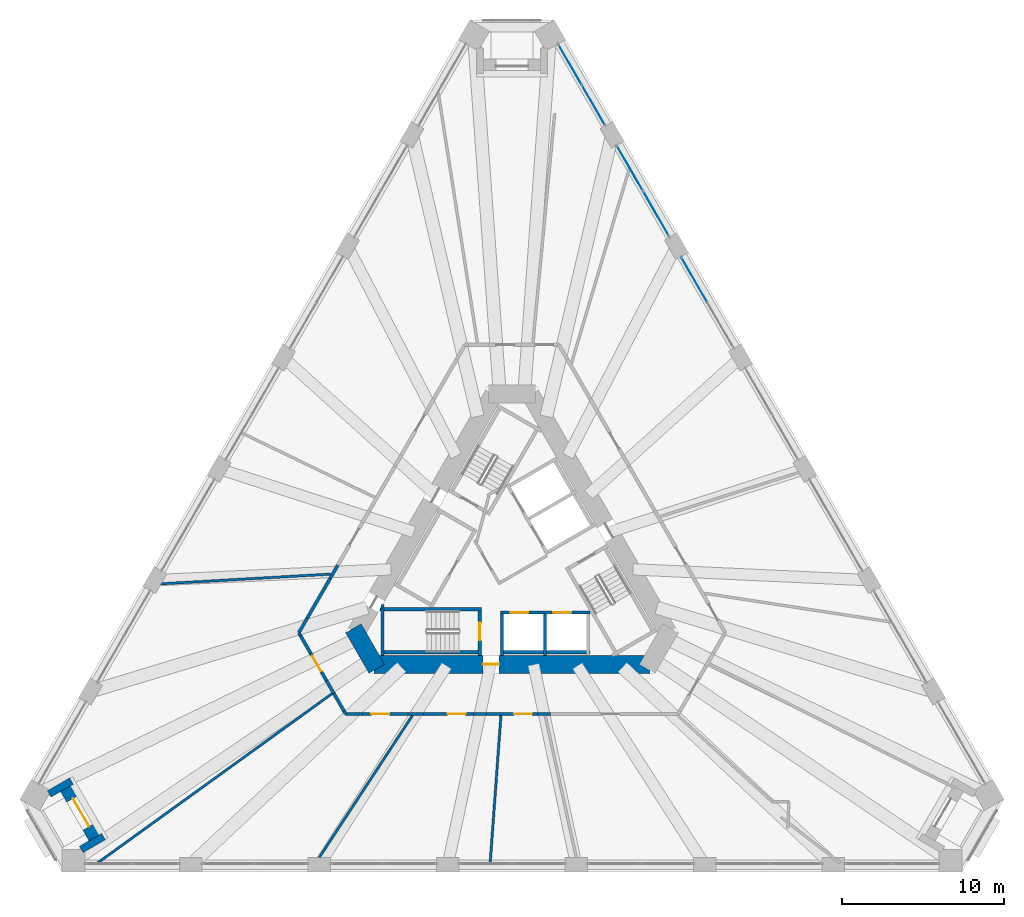
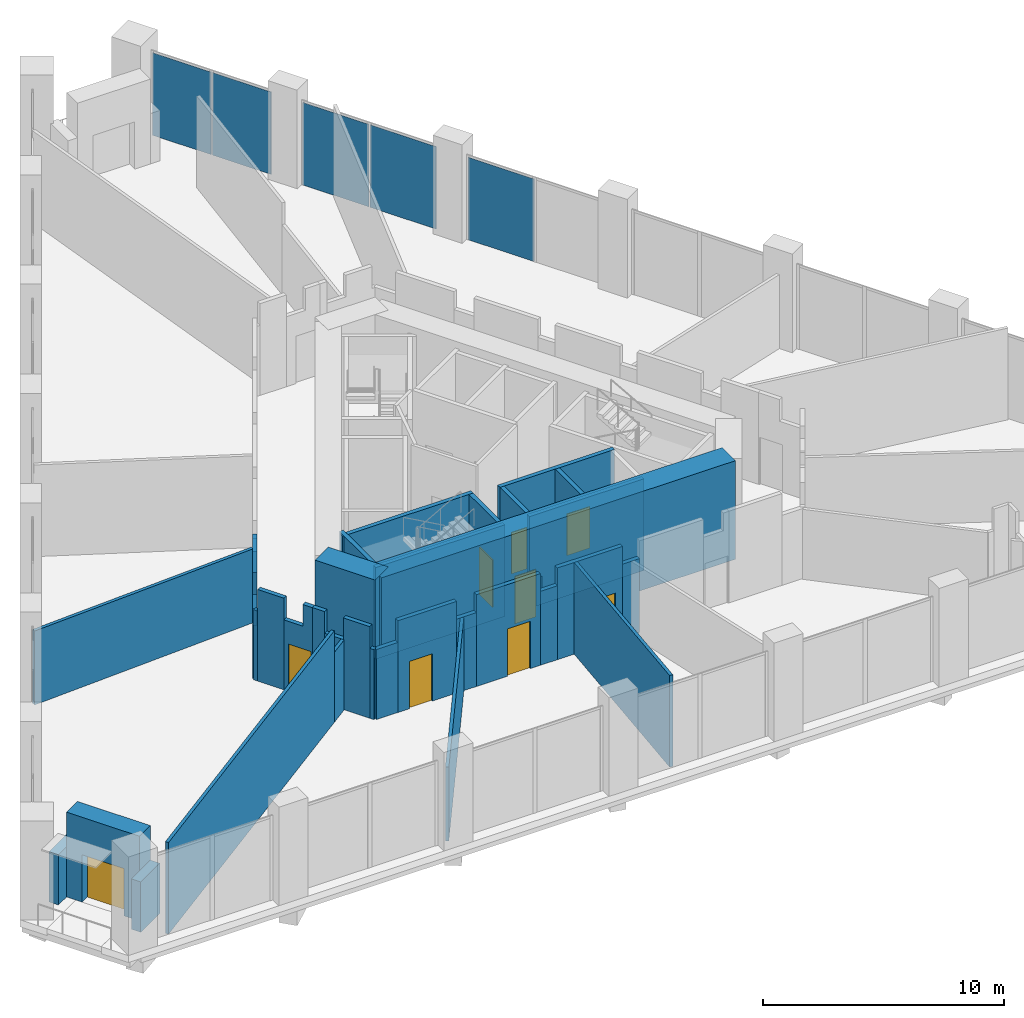
# One storey, part 13 of 20: 35 walls, 9 doors, 5 plates, 9 openings, 3 elements without a shape of their own.
"""IFC4 building model written with IfcOpenShell, lengths in metres."""

from ifc_helpers import new_model, si_unit, direction, frame, frame_2d, origin, origin_2d, place, context, subcontext, project, spatial, polyline, rectangle, outline, extrude, material, layer, layer_set, type_object, element, fill, aggregate, save


model = new_model("IFC4")

# Units and contexts
model_context = context("Model", 3, precision=1e-05, world=origin(), true_north=direction((0.0, 1.0)))
body_context = subcontext(model_context, "Body", "Model", "MODEL_VIEW")
ifc_project = project(units=[si_unit("LENGTHUNIT", "METRE"), si_unit("AREAUNIT", "SQUARE_METRE"), si_unit("VOLUMEUNIT", "CUBIC_METRE"), si_unit("PLANEANGLEUNIT", "RADIAN"), si_unit("MASSUNIT", "GRAM", prefix="KILO")], contexts=[model_context])

# Site, building, storey
site_placement = place(None, origin())
site = spatial("IfcSite", under=ifc_project, at=site_placement, CompositionType="ELEMENT")
building_placement = place(site_placement, origin())
building = spatial("IfcBuilding", under=site, at=building_placement, Name="Tramontana Tower", CompositionType="ELEMENT")
storey_placement = place(building_placement, frame((0.0, 0.0, 20.0)))
storey = spatial("IfcBuildingStorey", under=building, at=storey_placement, Name="L03", CompositionType="ELEMENT", Elevation=20.0)

# Curtain wall, plate
ifc_material_1 = material(Name="Aluminum extrusion", Category="aluminium")
ifc_layer_1 = layer(ifc_material_1, 0.14990234375)
ifc_layer_set_1 = layer_set([ifc_layer_1], Name="CW2 Podium amenity curtain wall")
curtain_wall_type = type_object("IfcCurtainWallType", Name="CW2 Podium amenity curtain wall", PredefinedType="NOTDEFINED", material=ifc_layer_set_1)
curtain_wall_1_placement = place(storey_placement, origin())
curtain_wall_1 = element("IfcCurtainWall", 1, at=curtain_wall_1_placement, inside=storey, type_object=curtain_wall_type, Name="CW2 curtain wall L03 face 2 bay 5", PredefinedType="NOTDEFINED")
ifc_material_2 = material(Name="Low-iron double glazing unit", Category="glass")
ifc_layer_2 = layer(ifc_material_2, 0.031982421875)
ifc_layer_set_2 = layer_set([ifc_layer_2], Name="CW2-P Glazing panel 32")
plate_type = type_object("IfcPlateType", Name="CW2-P Glazing panel 32", PredefinedType="CURTAIN_PANEL", material=ifc_layer_set_2)
plate_1_placement = place(storey_placement, frame((11.233642578125, 17.492919921875, 0.0), z_axis=(0.0, 0.0, 1.0), x_axis=(-0.5, 0.866025403784, 0.0)))
plate_1 = element("IfcPlate", 2, at=plate_1_placement, type_object=plate_type, Name="CW2 curtain wall L03 face 2 bay 5 panel 2.1", PredefinedType="CURTAIN_PANEL", context=body_context, shape_type="SweptSolid", body=[
    extrude(rectangle(XDim=3.1689453125, YDim=0.031982421875, at=origin_2d()), origin(), (0.0, 0.0, 1.0), 4.179931640625),
])
aggregate(curtain_wall_1, [plate_1])

# Curtain wall, plates
curtain_wall_2_placement = place(storey_placement, origin())
curtain_wall_2 = element("IfcCurtainWall", 3, at=curtain_wall_2_placement, inside=storey, type_object=curtain_wall_type, Name="CW2 curtain wall L03 face 2 bay 6", PredefinedType="NOTDEFINED")
plate_2_placement = place(storey_placement, frame((8.88916015625, 21.5537109375, 0.0), z_axis=(0.0, 0.0, 1.0), x_axis=(-0.5, 0.866025403784, 0.0)))
plate_2 = element("IfcPlate", 4, at=plate_2_placement, type_object=plate_type, Name="CW2 curtain wall L03 face 2 bay 6 panel 1.1", PredefinedType="CURTAIN_PANEL", context=body_context, shape_type="SweptSolid", body=[
    extrude(rectangle(XDim=3.1689453125, YDim=0.031982421875, at=origin_2d()), origin(), (0.0, 0.0, 1.0), 4.179931640625),
])
plate_3_placement = place(storey_placement, frame((7.274658203125, 24.349853515625, 0.0), z_axis=(0.0, 0.0, 1.0), x_axis=(-0.5, 0.866025403784, 0.0)))
plate_3 = element("IfcPlate", 5, at=plate_3_placement, type_object=plate_type, Name="CW2 curtain wall L03 face 2 bay 6 panel 2.1", PredefinedType="CURTAIN_PANEL", context=body_context, shape_type="SweptSolid", body=[
    extrude(rectangle(XDim=3.1689453125, YDim=0.031982421875, at=origin_2d()), origin(), (0.0, 0.0, 1.0), 4.179931640625),
])
aggregate(curtain_wall_2, [plate_2, plate_3])

curtain_wall_3_placement = place(storey_placement, origin())
curtain_wall_3 = element("IfcCurtainWall", 6, at=curtain_wall_3_placement, inside=storey, type_object=curtain_wall_type, Name="CW2 curtain wall L03 face 2 bay 7", PredefinedType="NOTDEFINED")
plate_4_placement = place(storey_placement, frame((5.017578125, 28.25927734375, 0.0), z_axis=(0.0, 0.0, 1.0), x_axis=(-0.5, 0.866025403784, 0.0)))
plate_4 = element("IfcPlate", 7, at=plate_4_placement, type_object=plate_type, Name="CW2 curtain wall L03 face 2 bay 7 panel 1.1", PredefinedType="CURTAIN_PANEL", context=body_context, shape_type="SweptSolid", body=[
    extrude(rectangle(XDim=2.819091796875, YDim=0.031982421875, at=origin_2d()), origin(), (0.0, 0.0, 1.0), 4.179931640625),
])
plate_5_placement = place(storey_placement, frame((3.578125, 30.75244140625, 0.0), z_axis=(0.0, 0.0, 1.0), x_axis=(-0.5, 0.866025403784, 0.0)))
plate_5 = element("IfcPlate", 8, at=plate_5_placement, type_object=plate_type, Name="CW2 curtain wall L03 face 2 bay 7 panel 2.1", PredefinedType="CURTAIN_PANEL", context=body_context, shape_type="SweptSolid", body=[
    extrude(rectangle(XDim=2.819091796875, YDim=0.031982421875, at=origin_2d()), origin(), (0.0, 0.0, 1.0), 4.179931640625),
])
aggregate(curtain_wall_3, [plate_4, plate_5])

# Wall
ifc_material_3 = material(Name="Concrete 70 MPa", Category="concrete")
ifc_layer_3 = layer(ifc_material_3, 1.10009765625)
ifc_layer_set_3 = layer_set([ifc_layer_3], Name="Core wall 1100 70 MPa")
wall_type_1 = type_object("IfcWallType", Name="Core wall 1100 70 MPa", PredefinedType="SHEAR", material=ifc_layer_set_3)
wall_1_placement = place(storey_placement, frame((-9.771728515625, -3.97509765625, 0.0), z_axis=(0.0, 0.0, 1.0), x_axis=(0.499995765644, -0.866027848477, 0.0)))
element("IfcWall", 9, at=wall_1_placement, inside=storey, type_object=wall_type_1, Name="Core wall C2 L03", PredefinedType="SHEAR", context=body_context, shape_type="SweptSolid", body=[
    extrude(rectangle(XDim=2.88671875, YDim=1.10009765625, at=frame_2d((1.443359375, 0.0))), origin(), (0.0, 0.0, 1.0), 5.0),
])

# Wall, opening, door
wall_2_placement = place(storey_placement, frame((-8.487060546875, -6.199951171875, 0.0), z_axis=(0.0, 0.0, 1.0), x_axis=(1.0, 0.0, 0.0)))
wall_2 = element("IfcWall", 10, at=wall_2_placement, inside=storey, type_object=wall_type_1, Name="Core wall C3 L03", PredefinedType="SHEAR", context=body_context, shape_type="SweptSolid", body=[
    extrude(rectangle(XDim=16.97412109375, YDim=1.10009765625, at=frame_2d((8.487060546875, 0.0))), origin(), (0.0, 0.0, 1.0), 5.0),
])
opening_1_placement = place(wall_2_placement, frame((6.69189453125, 0.0, 0.0)))
opening_1 = element("IfcOpeningElement", 11, at=opening_1_placement, cuts=wall_2, Name="Opening RG2", PredefinedType="OPENING", context=body_context, shape_type="SweptSolid", body=[
    extrude(rectangle(XDim=1.0, YDim=2.39990234375, at=frame_2d((0.5, 1.199951171875))), frame((0.0, 0.56005859375, 0.0), z_axis=(0.0, -1.0, 0.0), x_axis=(1.0, 0.0, 0.0)), (0.0, 0.0, 1.0), 1.1201171875),
])
ifc_material_4 = material(Name="Painted steel", Category="steel")
door_type_1 = type_object("IfcDoorType", Name="RING DOOR 1000", OperationType="SINGLE_SWING_LEFT", PredefinedType="DOOR", material=ifc_material_4)
door_1_placement = place(opening_1_placement, origin())
door_1 = element("IfcDoor", 12, at=door_1_placement, inside=storey, type_object=door_type_1, Name="Door RG2", OperationType="SINGLE_SWING_RIGHT", OverallHeight=2.39990234375, OverallWidth=1.0, PredefinedType="DOOR", context=body_context, shape_type="SweptSolid", body=[
    extrude(rectangle(XDim=1.0, YDim=2.39990234375, at=frame_2d((0.5, 1.199951171875))), frame((0.0, 0.02490234375, 0.0), z_axis=(0.0, -1.0, 0.0), x_axis=(1.0, 0.0, 0.0)), (0.0, 0.0, 1.0), 0.050048828125),
])
fill(opening_1, door_1)

# Wall
ifc_material_5 = material(Name="Blockwork", Category="masonry")
ifc_layer_4 = layer(ifc_material_5, 0.199951171875)
ifc_layer_set_4 = layer_set([ifc_layer_4], Name="ENTRY WALL 200")
wall_type_2 = type_object("IfcWallType", Name="ENTRY WALL 200", PredefinedType="SOLIDWALL", material=ifc_layer_set_4)
wall_3_placement = place(storey_placement, frame((2.383056640625, -9.25, 0.0), z_axis=(0.0, 0.0, 1.0), x_axis=(-1.0, 0.0, 0.0)))
element("IfcWall", 13, at=wall_3_placement, inside=storey, type_object=wall_type_2, Name="Wall ew2-4", PredefinedType="SOLIDWALL", context=body_context, shape_type="SweptSolid", body=[
    extrude(rectangle(XDim=0.81787109375, YDim=0.199951171875, at=frame_2d((0.408935546875, 0.0))), origin(), (0.0, 0.0, 1.0), 3.75),
])

# Wall, opening, door
wall_4_placement = place(storey_placement, frame((1.565185546875, -9.25, 0.0), z_axis=(0.0, 0.0, 1.0), x_axis=(-1.0, 0.0, 0.0)))
wall_4 = element("IfcWall", 14, at=wall_4_placement, inside=storey, type_object=wall_type_2, Name="Wall ew2-5", PredefinedType="SOLIDWALL", context=body_context, shape_type="SweptSolid", body=[
    extrude(rectangle(XDim=3.13037109375, YDim=0.199951171875, at=frame_2d((1.565185546875, 0.0))), origin(), (0.0, 0.0, 1.0), 4.64990234375),
])
opening_2_placement = place(wall_4_placement, frame((0.33349609375, 0.0, 0.0)))
opening_2 = element("IfcOpeningElement", 15, at=opening_2_placement, cuts=wall_4, Name="Opening L03-07", PredefinedType="OPENING", context=body_context, shape_type="SweptSolid", body=[
    extrude(rectangle(XDim=1.10009765625, YDim=2.39990234375, at=frame_2d((0.550048828125, 1.199951171875))), frame((0.0, 0.10986328125, 0.0), z_axis=(0.0, -1.0, 0.0), x_axis=(1.0, 0.0, 0.0)), (0.0, 0.0, 1.0), 0.219970703125),
])
ifc_material_6 = material(Name="Painted timber", Category="wood")
door_type_2 = type_object("IfcDoorType", Name="DOOR ENTRY 1100", OperationType="SINGLE_SWING_LEFT", PredefinedType="DOOR", material=ifc_material_6)
door_2_placement = place(opening_2_placement, origin())
door_2 = element("IfcDoor", 16, at=door_2_placement, inside=storey, type_object=door_type_2, Name="Door L03-07", OperationType="SINGLE_SWING_LEFT", OverallHeight=2.39990234375, OverallWidth=1.10009765625, PredefinedType="DOOR", context=body_context, shape_type="SweptSolid", body=[
    extrude(rectangle(XDim=1.10009765625, YDim=2.39990234375, at=frame_2d((0.550048828125, 1.199951171875))), frame((0.0, 0.02490234375, 0.0), z_axis=(0.0, -1.0, 0.0), x_axis=(1.0, 0.0, 0.0)), (0.0, 0.0, 1.0), 0.050048828125),
])
fill(opening_2, door_2)

# Wall
wall_5_placement = place(storey_placement, frame((-1.565185546875, -9.25, 0.0), z_axis=(0.0, 0.0, 1.0), x_axis=(-1.0, 0.0, 0.0)))
element("IfcWall", 17, at=wall_5_placement, inside=storey, type_object=wall_type_2, Name="Wall ew2-6", PredefinedType="SOLIDWALL", context=body_context, shape_type="SweptSolid", body=[
    extrude(rectangle(XDim=0.81787109375, YDim=0.199951171875, at=frame_2d((0.408935546875, 0.0))), origin(), (0.0, 0.0, 1.0), 3.75),
])

# Wall, opening, door
wall_6_placement = place(storey_placement, frame((-2.383056640625, -9.25, 0.0), z_axis=(0.0, 0.0, 1.0), x_axis=(-1.0, 0.0, 0.0)))
wall_6 = element("IfcWall", 18, at=wall_6_placement, inside=storey, type_object=wall_type_2, Name="Wall ew2-7", PredefinedType="SOLIDWALL", context=body_context, shape_type="SweptSolid", body=[
    extrude(rectangle(XDim=3.064453125, YDim=0.199951171875, at=frame_2d((1.5322265625, 0.0))), origin(), (0.0, 0.0, 1.0), 4.64990234375),
])
opening_3_placement = place(wall_6_placement, frame((0.475341796875, 0.0, 0.0)))
opening_3 = element("IfcOpeningElement", 19, at=opening_3_placement, cuts=wall_6, Name="Opening L03-06", PredefinedType="OPENING", context=body_context, shape_type="SweptSolid", body=[
    extrude(rectangle(XDim=1.10009765625, YDim=2.39990234375, at=frame_2d((0.550048828125, 1.199951171875))), frame((0.0, 0.10986328125, 0.0), z_axis=(0.0, -1.0, 0.0), x_axis=(1.0, 0.0, 0.0)), (0.0, 0.0, 1.0), 0.219970703125),
])
door_3_placement = place(opening_3_placement, origin())
door_3 = element("IfcDoor", 20, at=door_3_placement, inside=storey, type_object=door_type_2, Name="Door L03-06", OperationType="SINGLE_SWING_RIGHT", OverallHeight=2.39990234375, OverallWidth=1.10009765625, PredefinedType="DOOR", context=body_context, shape_type="SweptSolid", body=[
    extrude(rectangle(XDim=1.10009765625, YDim=2.39990234375, at=frame_2d((0.550048828125, 1.199951171875))), frame((0.0, 0.02490234375, 0.0), z_axis=(0.0, -1.0, 0.0), x_axis=(1.0, 0.0, 0.0)), (0.0, 0.0, 1.0), 0.050048828125),
])
fill(opening_3, door_3)

# Wall
wall_7_placement = place(storey_placement, frame((-5.447509765625, -9.25, 0.0), z_axis=(0.0, 0.0, 1.0), x_axis=(-1.0, 0.0, 0.0)))
element("IfcWall", 21, at=wall_7_placement, inside=storey, type_object=wall_type_2, Name="Wall ew2-8", PredefinedType="SOLIDWALL", context=body_context, shape_type="SweptSolid", body=[
    extrude(rectangle(XDim=0.949951171875, YDim=0.199951171875, at=frame_2d((0.47509765625, 0.0))), origin(), (0.0, 0.0, 1.0), 3.75),
])

# Wall, opening, door
wall_8_placement = place(storey_placement, frame((-6.3974609375, -9.25, 0.0), z_axis=(0.0, 0.0, 1.0), x_axis=(-1.0, 0.0, 0.0)))
wall_8 = element("IfcWall", 22, at=wall_8_placement, inside=storey, type_object=wall_type_2, Name="Wall ew2-9", PredefinedType="SOLIDWALL", context=body_context, shape_type="SweptSolid", body=[
    extrude(rectangle(XDim=2.815185546875, YDim=0.199951171875, at=frame_2d((1.40771484375, 0.0))), origin(), (0.0, 0.0, 1.0), 4.64990234375),
])
opening_4_placement = place(wall_8_placement, frame((1.163330078125, 0.0, 0.0)))
opening_4 = element("IfcOpeningElement", 23, at=opening_4_placement, cuts=wall_8, Name="Opening L03-05", PredefinedType="OPENING", context=body_context, shape_type="SweptSolid", body=[
    extrude(rectangle(XDim=1.10009765625, YDim=2.39990234375, at=frame_2d((0.550048828125, 1.199951171875))), frame((0.0, 0.10986328125, 0.0), z_axis=(0.0, -1.0, 0.0), x_axis=(1.0, 0.0, 0.0)), (0.0, 0.0, 1.0), 0.219970703125),
])
door_4_placement = place(opening_4_placement, origin())
door_4 = element("IfcDoor", 24, at=door_4_placement, inside=storey, type_object=door_type_2, Name="Door L03-05", OperationType="SINGLE_SWING_LEFT", OverallHeight=2.39990234375, OverallWidth=1.10009765625, PredefinedType="DOOR", context=body_context, shape_type="SweptSolid", body=[
    extrude(rectangle(XDim=1.10009765625, YDim=2.39990234375, at=frame_2d((0.550048828125, 1.199951171875))), frame((0.0, 0.02490234375, 0.0), z_axis=(0.0, -1.0, 0.0), x_axis=(1.0, 0.0, 0.0)), (0.0, 0.0, 1.0), 0.050048828125),
])
fill(opening_4, door_4)

# Walls
wall_9_placement = place(storey_placement, frame((-9.212646484375, -9.25, 0.0), z_axis=(0.0, 0.0, 1.0), x_axis=(-1.0, 0.0, 0.0)))
element("IfcWall", 25, at=wall_9_placement, inside=storey, type_object=wall_type_2, Name="Wall ew2-10", PredefinedType="SOLIDWALL", context=body_context, shape_type="SweptSolid", body=[
    extrude(rectangle(XDim=1.035400390625, YDim=0.199951171875, at=frame_2d((0.517578125, 0.0))), origin(), (0.0, 0.0, 1.0), 3.550048828125),
])
wall_10_placement = place(storey_placement, frame((-10.248046875, -9.25, 0.0), z_axis=(0.0, 0.0, 1.0), x_axis=(-0.499865263774, 0.866103179807, 0.0)))
element("IfcWall", 26, at=wall_10_placement, inside=storey, type_object=wall_type_2, Name="Wall ew3-0", PredefinedType="SOLIDWALL", context=body_context, shape_type="SweptSolid", body=[
    extrude(rectangle(XDim=0.197265625, YDim=0.199951171875, at=frame_2d((0.0986328125, 0.0))), origin(), (0.0, 0.0, 1.0), 3.550048828125),
])
wall_11_placement = place(storey_placement, frame((-10.3466796875, -9.0791015625, 0.0), z_axis=(0.0, 0.0, 1.0), x_axis=(-0.499911523785, 0.866076479525, 0.0)))
element("IfcWall", 27, at=wall_11_placement, inside=storey, type_object=wall_type_2, Name="Wall ew3-1", PredefinedType="SOLIDWALL", context=body_context, shape_type="SweptSolid", body=[
    extrude(rectangle(XDim=1.266845703125, YDim=0.199951171875, at=frame_2d((0.63330078125, 0.0))), origin(), (0.0, 0.0, 1.0), 4.64990234375),
])
wall_12_placement = place(storey_placement, frame((-10.97998046875, -7.98193359375, 0.0), z_axis=(0.0, 0.0, 1.0), x_axis=(-0.500097243556, 0.865969252911, 0.0)))
element("IfcWall", 28, at=wall_12_placement, inside=storey, type_object=wall_type_2, Name="Wall ew3-2", PredefinedType="SOLIDWALL", context=body_context, shape_type="SweptSolid", body=[
    extrude(rectangle(XDim=0.902099609375, YDim=0.199951171875, at=frame_2d((0.451171875, 0.0))), origin(), (0.0, 0.0, 1.0), 3.550048828125),
])
wall_13_placement = place(storey_placement, frame((-11.43115234375, -7.20068359375, 0.0), z_axis=(0.0, 0.0, 1.0), x_axis=(-0.500105011351, 0.865964766963, 0.0)))
element("IfcWall", 29, at=wall_13_placement, inside=storey, type_object=wall_type_2, Name="Wall ew3-3", PredefinedType="SOLIDWALL", context=body_context, shape_type="SweptSolid", body=[
    extrude(rectangle(XDim=0.589111328125, YDim=0.199951171875, at=frame_2d((0.29443359375, 0.0))), origin(), (0.0, 0.0, 1.0), 4.64990234375),
])

# Wall, opening, door
wall_14_placement = place(storey_placement, frame((-11.725830078125, -6.6904296875, 0.0), z_axis=(0.0, 0.0, 1.0), x_axis=(-0.499941024108, 0.866059450854, 0.0)))
wall_14 = element("IfcWall", 30, at=wall_14_placement, inside=storey, type_object=wall_type_2, Name="Wall ew3-4", PredefinedType="SOLIDWALL", context=body_context, shape_type="SweptSolid", body=[
    extrude(outline(polyline([(0.0, 0.0), (1.353759765625, 0.0), (1.353759765625, 3.550048828125), (0.451416015625, 3.550048828125), (0.451416015625, 4.64990234375), (0.0, 4.64990234375), (0.0, 0.0)])), frame((0.0, 0.10009765625, 0.0), z_axis=(0.0, -1.0, 0.0), x_axis=(1.0, 0.0, 0.0)), (0.0, 0.0, 1.0), 0.199951171875),
])
opening_5_placement = place(wall_14_placement, frame((0.050048828125, 0.0, 0.0)))
opening_5 = element("IfcOpeningElement", 31, at=opening_5_placement, cuts=wall_14, Name="Opening L03-04", PredefinedType="OPENING", context=body_context, shape_type="SweptSolid", body=[
    extrude(rectangle(XDim=1.10009765625, YDim=2.39990234375, at=frame_2d((0.550048828125, 1.199951171875))), frame((0.0, 0.10986328125, 0.0), z_axis=(0.0, -1.0, 0.0), x_axis=(1.0, 0.0, 0.0)), (0.0, 0.0, 1.0), 0.219970703125),
])
door_5_placement = place(opening_5_placement, origin())
door_5 = element("IfcDoor", 32, at=door_5_placement, inside=storey, type_object=door_type_2, Name="Door L03-04", OperationType="SINGLE_SWING_RIGHT", OverallHeight=2.39990234375, OverallWidth=1.10009765625, PredefinedType="DOOR", context=body_context, shape_type="SweptSolid", body=[
    extrude(rectangle(XDim=1.10009765625, YDim=2.39990234375, at=frame_2d((0.550048828125, 1.199951171875))), frame((0.0, 0.02490234375, 0.0), z_axis=(0.0, -1.0, 0.0), x_axis=(1.0, 0.0, 0.0)), (0.0, 0.0, 1.0), 0.050048828125),
])
fill(opening_5, door_5)

# Walls
wall_15_placement = place(storey_placement, frame((-12.402587890625, -5.51806640625, 0.0), z_axis=(0.0, 0.0, 1.0), x_axis=(-0.500056058743, 0.865993035835, 0.0)))
element("IfcWall", 33, at=wall_15_placement, inside=storey, type_object=wall_type_2, Name="Wall ew3-5", PredefinedType="SOLIDWALL", context=body_context, shape_type="SweptSolid", body=[
    extrude(rectangle(XDim=1.266845703125, YDim=0.199951171875, at=frame_2d((0.63330078125, 0.0))), origin(), (0.0, 0.0, 1.0), 4.64990234375),
])
wall_16_placement = place(storey_placement, frame((-13.0361328125, -4.4208984375, 0.0), z_axis=(0.0, 0.0, 1.0), x_axis=(-0.499865263774, 0.866103179807, 0.0)))
element("IfcWall", 34, at=wall_16_placement, inside=storey, type_object=wall_type_2, Name="Wall ew3-6", PredefinedType="SOLIDWALL", context=body_context, shape_type="SweptSolid", body=[
    extrude(rectangle(XDim=0.197265625, YDim=0.199951171875, at=frame_2d((0.0986328125, 0.0))), origin(), (0.0, 0.0, 1.0), 3.550048828125),
])
wall_17_placement = place(storey_placement, frame((-13.134765625, -4.25, 0.0), z_axis=(0.0, 0.0, 1.0), x_axis=(0.500171514983, 0.865926356915, 0.0)))
element("IfcWall", 35, at=wall_17_placement, inside=storey, type_object=wall_type_2, Name="Wall ew4-0", PredefinedType="SOLIDWALL", context=body_context, shape_type="SweptSolid", body=[
    extrude(rectangle(XDim=1.035400390625, YDim=0.199951171875, at=frame_2d((0.517578125, 0.0))), origin(), (0.0, 0.0, 1.0), 3.550048828125),
])
wall_18_placement = place(storey_placement, frame((-12.616943359375, -3.353515625, 0.0), z_axis=(0.0, 0.0, 1.0), x_axis=(0.49993514545, 0.866062844338, 0.0)))
element("IfcWall", 36, at=wall_18_placement, inside=storey, type_object=wall_type_2, Name="Wall ew4-1", PredefinedType="SOLIDWALL", context=body_context, shape_type="SweptSolid", body=[
    extrude(rectangle(XDim=2.815185546875, YDim=0.199951171875, at=frame_2d((1.40771484375, 0.0))), origin(), (0.0, 0.0, 1.0), 4.64990234375),
])
wall_19_placement = place(storey_placement, frame((-11.20947265625, -0.915283203125, 0.0), z_axis=(0.0, 0.0, 1.0), x_axis=(0.500174821557, 0.865924446982, 0.0)))
element("IfcWall", 37, at=wall_19_placement, inside=storey, type_object=wall_type_2, Name="Wall ew4-2", PredefinedType="SOLIDWALL", context=body_context, shape_type="SweptSolid", body=[
    extrude(rectangle(XDim=0.949951171875, YDim=0.199951171875, at=frame_2d((0.47509765625, 0.0))), origin(), (0.0, 0.0, 1.0), 3.75),
])
ifc_material_7 = material(Name="Precast concrete 60 MPa", Category="concrete")
ifc_layer_5 = layer(ifc_material_7, 0.449951171875)
ifc_layer_set_5 = layer_set([ifc_layer_5], Name="Precast concrete 60 MPa, 450 mm")
wall_type_3 = type_object("IfcWallType", Name="EW1 Stone-faced precast wall 450", PredefinedType="SOLIDWALL", material=ifc_layer_set_5)
wall_20_placement = place(storey_placement, frame((-26.5341796875, -17.60009765625, 0.0), z_axis=(0.0, 0.0, 1.0), x_axis=(0.86597962928, 0.500079275387, 0.0)))
element("IfcWall", 38, at=wall_20_placement, inside=storey, type_object=wall_type_3, Name="Corner loggia side wall L03 K01l", PredefinedType="SOLIDWALL", context=body_context, shape_type="SweptSolid", body=[
    extrude(rectangle(XDim=1.579345703125, YDim=0.449951171875, at=frame_2d((0.78955078125, 0.0))), origin(), (0.0, 0.0, 1.0), 2.550048828125),
])
wall_21_placement = place(storey_placement, frame((-28.509033203125, -14.17919921875, 0.0), z_axis=(0.0, 0.0, 1.0), x_axis=(0.866046570609, 0.499963336192, 0.0)))
element("IfcWall", 39, at=wall_21_placement, inside=storey, type_object=wall_type_3, Name="Corner loggia side wall L03 K01r", PredefinedType="SOLIDWALL", context=body_context, shape_type="SweptSolid", body=[
    extrude(rectangle(XDim=1.5791015625, YDim=0.449951171875, at=frame_2d((0.78955078125, 0.0))), origin(), (0.0, 0.0, 1.0), 2.550048828125),
])

# Wall, opening, door
ifc_material_8 = material(Name="Precast concrete 60 MPa", Category="concrete")
ifc_layer_6 = layer(ifc_material_8, 0.89990234375)
ifc_layer_set_6 = layer_set([ifc_layer_6], Name="EW2 Stone-faced corner loggia wall 900")
wall_type_4 = type_object("IfcWallType", Name="EW2 Stone-faced corner loggia wall 900", PredefinedType="SOLIDWALL", material=ifc_layer_set_6)
wall_22_placement = place(storey_placement, frame((-25.668701171875, -16.840576171875, 0.0), z_axis=(0.0, 0.0, 1.0), x_axis=(-0.500010275428, 0.866019471182, 0.0)))
wall_22 = element("IfcWall", 40, at=wall_22_placement, inside=storey, type_object=wall_type_4, Name="Corner loggia wall L03 K01", PredefinedType="SOLIDWALL", context=body_context, shape_type="SweptSolid", body=[
    extrude(rectangle(XDim=3.5, YDim=0.89990234375, at=frame_2d((1.75, 0.0))), origin(), (0.0, 0.0, 1.0), 4.300048828125),
])
opening_6_placement = place(wall_22_placement, frame((0.75, 0.0, 0.0)))
opening_6 = element("IfcOpeningElement", 41, at=opening_6_placement, cuts=wall_22, Name="Opening BD-01C", PredefinedType="OPENING", context=body_context, shape_type="SweptSolid", body=[
    extrude(rectangle(XDim=2.0, YDim=2.39990234375, at=frame_2d((1.0, 1.199951171875))), frame((0.0, 0.4599609375, 0.0), z_axis=(0.0, -1.0, 0.0), x_axis=(1.0, 0.0, 0.0)), (0.0, 0.0, 1.0), 0.919921875),
])
ifc_material_9 = material(Name="Aluminum frame, double glazing unit", Category="aluminium")
door_type_3 = type_object("IfcDoorType", Name="BC1 Sliding door 2 x 2.4", OperationType="SLIDING_TO_LEFT", PredefinedType="DOOR", material=ifc_material_9)
door_6_placement = place(opening_6_placement, origin())
door_6 = element("IfcDoor", 42, at=door_6_placement, inside=storey, type_object=door_type_3, Name="Corner loggia door L03 K01", OperationType="SLIDING_TO_LEFT", OverallHeight=2.39990234375, OverallWidth=2.0, PredefinedType="DOOR", context=body_context, shape_type="SweptSolid", body=[
    extrude(rectangle(XDim=2.0, YDim=2.39990234375, at=frame_2d((1.0, 1.199951171875))), frame((0.0, 0.02490234375, 0.0), z_axis=(0.0, -1.0, 0.0), x_axis=(1.0, 0.0, 0.0)), (0.0, 0.0, 1.0), 0.050048828125),
])
fill(opening_6, door_6)

# Walls
ifc_material_10 = material(Name="Gypsum board partition")
ifc_layer_7 = layer(ifc_material_10, 0.14990234375)
ifc_layer_set_7 = layer_set([ifc_layer_7], Name="PARTITION 150")
wall_type_5 = type_object("IfcWallType", Name="PARTITION 150", PredefinedType="PARTITIONING", material=ifc_layer_set_7)
wall_23_placement = place(storey_placement, frame((-11.1650390625, -0.638427734375, 0.0), z_axis=(0.0, 0.0, 1.0), x_axis=(-0.998369760977, -0.057077319203, 0.0)))
element("IfcWall", 43, at=wall_23_placement, inside=storey, type_object=wall_type_5, Name="Wall fw-pw00-0", PredefinedType="PARTITIONING", context=body_context, shape_type="SweptSolid", body=[
    extrude(rectangle(XDim=10.8603515625, YDim=0.14990234375, at=frame_2d((5.43017578125, 0.0))), origin(), (0.0, 0.0, 1.0), 3.75),
])
wall_24_placement = place(storey_placement, frame((-11.084228515625, -8.00146484375, 0.0), z_axis=(0.0, 0.0, 1.0), x_axis=(-0.810724232581, -0.585428235316, 0.0)))
element("IfcWall", 44, at=wall_24_placement, inside=storey, type_object=wall_type_5, Name="Wall fw-pw01-0", PredefinedType="PARTITIONING", context=body_context, shape_type="SweptSolid", body=[
    extrude(rectangle(XDim=1.001220703125, YDim=0.14990234375, at=frame_2d((0.50048828125, 0.0))), origin(), (0.0, 0.0, 1.0), 3.550048828125),
])
wall_25_placement = place(storey_placement, frame((-11.89599609375, -8.587646484375, 0.0), z_axis=(0.0, 0.0, 1.0), x_axis=(-0.810816646236, -0.585300235936, 0.0)))
element("IfcWall", 45, at=wall_25_placement, inside=storey, type_object=wall_type_5, Name="Wall fw-pw01-1", PredefinedType="PARTITIONING", context=body_context, shape_type="SweptSolid", body=[
    extrude(rectangle(XDim=16.815673828125, YDim=0.14990234375, at=frame_2d((8.40771484375, 0.0))), origin(), (0.0, 0.0, 1.0), 4.64990234375),
])
wall_26_placement = place(storey_placement, frame((-6.13525390625, -9.35009765625, 0.0), z_axis=(0.0, 0.0, 1.0), x_axis=(-0.548631398355, -0.836064344856, 0.0)))
element("IfcWall", 46, at=wall_26_placement, inside=storey, type_object=wall_type_5, Name="Wall fw-pw03-0", PredefinedType="PARTITIONING", context=body_context, shape_type="SweptSolid", body=[
    extrude(rectangle(XDim=10.860107421875, YDim=0.14990234375, at=frame_2d((5.43017578125, 0.0))), origin(), (0.0, 0.0, 1.0), 3.75),
])
wall_27_placement = place(storey_placement, frame((-0.681640625, -9.35009765625, 0.0), z_axis=(0.0, 0.0, 1.0), x_axis=(-0.072727761096, -0.997351829981, 0.0)))
element("IfcWall", 47, at=wall_27_placement, inside=storey, type_object=wall_type_5, Name="Wall fw-pw05", PredefinedType="PARTITIONING", context=body_context, shape_type="SweptSolid", body=[
    extrude(rectangle(XDim=9.10400390625, YDim=0.14990234375, at=frame_2d((4.552001953125, 0.0))), origin(), (0.0, 0.0, 1.0), 4.64990234375),
])
ifc_material_11 = material(Name="Concrete 70 MPa", Category="concrete")
ifc_layer_8 = layer(ifc_material_11, 0.199951171875)
ifc_layer_set_8 = layer_set([ifc_layer_8], Name="Concrete 70 MPa, 200 mm")
wall_type_6 = type_object("IfcWallType", Name="RC SHAFT BACK WALL 200", PredefinedType="SOLIDWALL", material=ifc_layer_set_8)
wall_28_placement = place(storey_placement, frame((-8.080078125, -5.449951171875, 0.0), z_axis=(0.0, 0.0, 1.0), x_axis=(1.0, 0.0, 0.0)))
element("IfcWall", 48, at=wall_28_placement, inside=storey, type_object=wall_type_6, Name="Wall st2-back", PredefinedType="SOLIDWALL", context=body_context, shape_type="SweptSolid", body=[
    extrude(rectangle(XDim=6.2001953125, YDim=0.199951171875, at=frame_2d((3.10009765625, 0.0))), origin(), (0.0, 0.0, 1.0), 4.64990234375),
])
wall_29_placement = place(storey_placement, frame((-0.7099609375, -5.449951171875, 0.0), z_axis=(0.0, 0.0, 1.0), x_axis=(1.0, 0.0, 0.0)))
element("IfcWall", 49, at=wall_29_placement, inside=storey, type_object=wall_type_6, Name="Wall row1-back", PredefinedType="SOLIDWALL", context=body_context, shape_type="SweptSolid", body=[
    extrude(rectangle(XDim=5.5, YDim=0.199951171875, at=frame_2d((2.75, 0.0))), origin(), (0.0, 0.0, 1.0), 4.64990234375),
])
ifc_material_12 = material(Name="Concrete 70 MPa", Category="concrete")
ifc_layer_9 = layer(ifc_material_12, 0.199951171875)
ifc_layer_set_9 = layer_set([ifc_layer_9], Name="Concrete 70 MPa, 200 mm")
wall_type_7 = type_object("IfcWallType", Name="RC STAIR AND SHAFT WALL 200", PredefinedType="SOLIDWALL", material=ifc_layer_set_9)
wall_30_placement = place(storey_placement, frame((-8.140625, -2.800048828125, 0.0), z_axis=(0.0, 0.0, 1.0), x_axis=(1.0, 0.0, 0.0)))
element("IfcWall", 50, at=wall_30_placement, inside=storey, type_object=wall_type_7, Name="Wall st2-front", PredefinedType="SOLIDWALL", context=body_context, shape_type="SweptSolid", body=[
    extrude(rectangle(XDim=6.2607421875, YDim=0.199951171875, at=frame_2d((3.13037109375, 0.0))), origin(), (0.0, 0.0, 1.0), 4.64990234375),
])
wall_31_placement = place(storey_placement, frame((-7.97998046875, -2.521728515625, 0.0), z_axis=(0.0, 0.0, 1.0), x_axis=(0.0, -1.0, 0.0)))
element("IfcWall", 51, at=wall_31_placement, inside=storey, type_object=wall_type_7, Name="Wall st2-far", PredefinedType="SOLIDWALL", context=body_context, shape_type="SweptSolid", body=[
    extrude(rectangle(XDim=3.128173828125, YDim=0.199951171875, at=frame_2d((1.56396484375, 0.0))), origin(), (0.0, 0.0, 1.0), 4.64990234375),
])

# Wall, opening, door
wall_32_placement = place(storey_placement, frame((-1.97998046875, -2.89990234375, 0.0), z_axis=(0.0, 0.0, 1.0), x_axis=(0.0, -1.0, 0.0)))
wall_32 = element("IfcWall", 52, at=wall_32_placement, inside=storey, type_object=wall_type_7, Name="Wall st2-near", PredefinedType="SOLIDWALL", context=body_context, shape_type="SweptSolid", body=[
    extrude(rectangle(XDim=2.75, YDim=0.199951171875, at=frame_2d((1.375, 0.0))), origin(), (0.0, 0.0, 1.0), 4.64990234375),
])
opening_7_placement = place(wall_32_placement, frame((0.72509765625, 0.0, 0.0)))
opening_7 = element("IfcOpeningElement", 53, at=opening_7_placement, cuts=wall_32, Name="Opening SD2", PredefinedType="OPENING", context=body_context, shape_type="SweptSolid", body=[
    extrude(rectangle(XDim=1.10009765625, YDim=2.39990234375, at=frame_2d((0.550048828125, 1.199951171875))), frame((0.0, 0.10986328125, 0.0), z_axis=(0.0, -1.0, 0.0), x_axis=(1.0, 0.0, 0.0)), (0.0, 0.0, 1.0), 0.219970703125),
])
ifc_material_13 = material(Name="Painted steel", Category="steel")
door_type_4 = type_object("IfcDoorType", Name="STAIR DOOR 1100", OperationType="SINGLE_SWING_LEFT", PredefinedType="DOOR", material=ifc_material_13)
door_7_placement = place(opening_7_placement, origin())
door_7 = element("IfcDoor", 54, at=door_7_placement, inside=storey, type_object=door_type_4, Name="Door SD2", OperationType="SINGLE_SWING_LEFT", OverallHeight=2.39990234375, OverallWidth=1.10009765625, PredefinedType="DOOR", context=body_context, shape_type="SweptSolid", body=[
    extrude(rectangle(XDim=1.10009765625, YDim=2.39990234375, at=frame_2d((0.550048828125, 1.199951171875))), frame((0.0, 0.02490234375, 0.0), z_axis=(0.0, -1.0, 0.0), x_axis=(1.0, 0.0, 0.0)), (0.0, 0.0, 1.0), 0.050048828125),
])
fill(opening_7, door_7)

# Wall, openings, doors
wall_33_placement = place(storey_placement, frame((-0.7099609375, -3.0, 0.0), z_axis=(0.0, 0.0, 1.0), x_axis=(1.0, 0.0, 0.0)))
wall_33 = element("IfcWall", 55, at=wall_33_placement, inside=storey, type_object=wall_type_7, Name="Wall row1-front", PredefinedType="SOLIDWALL", context=body_context, shape_type="SweptSolid", body=[
    extrude(rectangle(XDim=5.5, YDim=0.199951171875, at=frame_2d((2.75, 0.0))), origin(), (0.0, 0.0, 1.0), 4.64990234375),
])
opening_8_placement = place(wall_33_placement, frame((0.610107421875, 0.0, 0.0)))
opening_8 = element("IfcOpeningElement", 56, at=opening_8_placement, cuts=wall_33, Name="Opening LD-S1", PredefinedType="OPENING", context=body_context, shape_type="SweptSolid", body=[
    extrude(rectangle(XDim=1.10009765625, YDim=2.10009765625, at=frame_2d((0.550048828125, 1.050048828125))), frame((0.0, 0.10986328125, 0.0), z_axis=(0.0, -1.0, 0.0), x_axis=(1.0, 0.0, 0.0)), (0.0, 0.0, 1.0), 0.219970703125),
])
opening_9_placement = place(wall_33_placement, frame((3.260009765625, 0.0, 0.0)))
opening_9 = element("IfcOpeningElement", 57, at=opening_9_placement, cuts=wall_33, Name="Opening LD-S2", PredefinedType="OPENING", context=body_context, shape_type="SweptSolid", body=[
    extrude(rectangle(XDim=1.10009765625, YDim=2.10009765625, at=frame_2d((0.550048828125, 1.050048828125))), frame((0.0, 0.10986328125, 0.0), z_axis=(0.0, -1.0, 0.0), x_axis=(1.0, 0.0, 0.0)), (0.0, 0.0, 1.0), 0.219970703125),
])
ifc_material_14 = material(Name="Brushed steel", Category="steel")
door_type_5 = type_object("IfcDoorType", Name="LANDING DOOR 1100", OperationType="SINGLE_SWING_LEFT", PredefinedType="DOOR", material=ifc_material_14)
door_8_placement = place(opening_8_placement, origin())
door_8 = element("IfcDoor", 58, at=door_8_placement, inside=storey, type_object=door_type_5, Name="Door LD-S1", OperationType="SLIDING_TO_RIGHT", OverallHeight=2.10009765625, OverallWidth=1.10009765625, PredefinedType="DOOR", context=body_context, shape_type="SweptSolid", body=[
    extrude(rectangle(XDim=1.10009765625, YDim=2.10009765625, at=frame_2d((0.550048828125, 1.050048828125))), frame((0.0, 0.02490234375, 0.0), z_axis=(0.0, -1.0, 0.0), x_axis=(1.0, 0.0, 0.0)), (0.0, 0.0, 1.0), 0.050048828125),
])
fill(opening_8, door_8)
door_9_placement = place(opening_9_placement, origin())
door_9 = element("IfcDoor", 59, at=door_9_placement, inside=storey, type_object=door_type_5, Name="Door LD-S2", OperationType="SLIDING_TO_LEFT", OverallHeight=2.10009765625, OverallWidth=1.10009765625, PredefinedType="DOOR", context=body_context, shape_type="SweptSolid", body=[
    extrude(rectangle(XDim=1.10009765625, YDim=2.10009765625, at=frame_2d((0.550048828125, 1.050048828125))), frame((0.0, 0.02490234375, 0.0), z_axis=(0.0, -1.0, 0.0), x_axis=(1.0, 0.0, 0.0)), (0.0, 0.0, 1.0), 0.050048828125),
])
fill(opening_9, door_9)

# Walls
for number, where, z_axis, x_axis, name in (
    (60, (-0.610107421875, -3.10009765625, 0.0), (0.0, 0.0, 1.0), (0.0, -1.0, 0.0), "Wall row1-side0"),
    (61, (2.0400390625, -3.10009765625, 0.0), (0.0, 0.0, 1.0), (0.0, -1.0, 0.0), "Wall row1-side1"),
):
    element("IfcWall", number, at=place(storey_placement, frame(where, z_axis=z_axis, x_axis=x_axis)), inside=storey, type_object=wall_type_7, Name=name, PredefinedType="SOLIDWALL", context=body_context, shape_type="SweptSolid", body=[
        extrude(rectangle(XDim=2.5498046875, YDim=0.199951171875, at=frame_2d((1.27490234375, 0.0))), origin(), (0.0, 0.0, 1.0), 4.64990234375),
    ])

save(model, "model.ifc")
